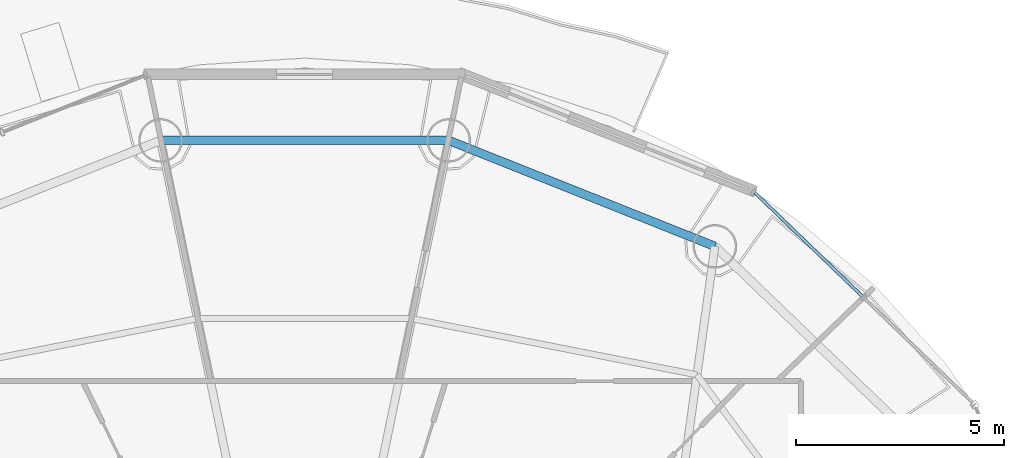
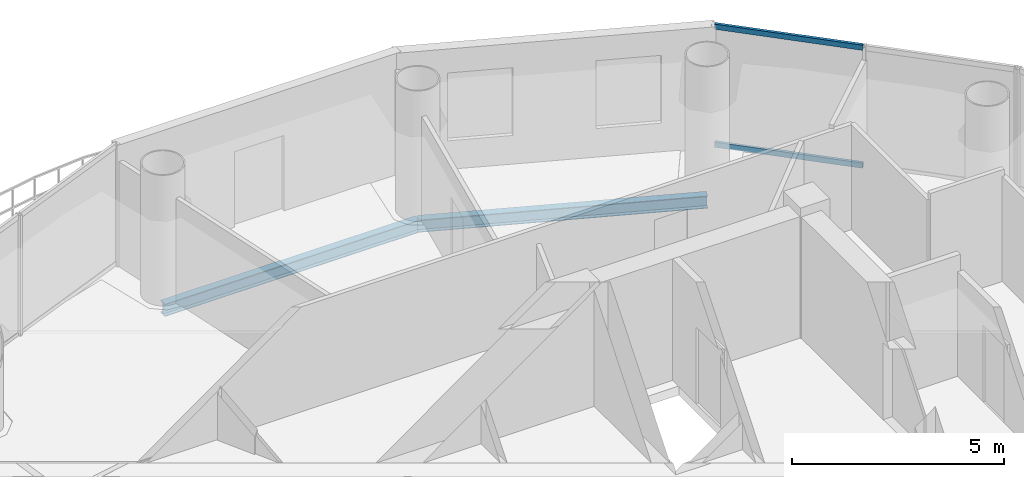
# One storey, part 15 of 24: 2 beams, 2 members, 1 element without a shape of its own.
"""IFC4 building model written with IfcOpenShell, lengths in metres."""

from ifc_helpers import new_model, si_unit, direction, frame, origin, origin_2d, place, context, subcontext, project, spatial, hollow_rectangle, i_section, extrude, source, transform, mapped, material, material_profile, profile_set, type_object, element, aggregate, save


model = new_model("IFC4")

# Units and contexts
model_context = context("Model", 3, precision=1e-05, world=origin(), true_north=direction((-0.2419218956, 0.970295726276)))
body_context = subcontext(model_context, "Body", "Model", "MODEL_VIEW")
ifc_project = project(units=[si_unit("LENGTHUNIT", "METRE"), si_unit("AREAUNIT", "SQUARE_METRE"), si_unit("VOLUMEUNIT", "CUBIC_METRE"), si_unit("PLANEANGLEUNIT", "RADIAN"), si_unit("MASSUNIT", "GRAM", prefix="KILO")], contexts=[model_context])

# Site, building, storey
site_placement = place(None, origin())
site = spatial("IfcSite", under=ifc_project, at=site_placement, CompositionType="ELEMENT")
building_placement = place(site_placement, origin())
building = spatial("IfcBuilding", under=site, at=building_placement, Name="Cobrevalo Terracotta Tower", CompositionType="ELEMENT")
storey_placement = place(building_placement, frame((0.0, 0.0, 278.199951171875)))
storey = spatial("IfcBuildingStorey", under=building, at=storey_placement, Name="L73", CompositionType="ELEMENT", Elevation=278.199951171875)

# Beams
ifc_material_1 = material(Name="Steel S355", Category="steel")
ifc_material_profile_1 = material_profile(ifc_material_1, i_section(OverallWidth=0.205078125, OverallDepth=0.35400390625, WebThickness=0.009521484375, FlangeThickness=0.016845703125, at=origin_2d()), Name="W 360x79")
ifc_profile_set_1 = profile_set([ifc_material_profile_1], Name="Steel S355")
beam_type = type_object("IfcBeamType", Name="Structural Spandrel W 360x79 (Steel S355)", PredefinedType="SPANDREL", material=ifc_profile_set_1)
beam_1_placement = place(storey_placement, frame((47.861328125, 40.9765625, -0.43701171875), z_axis=(-0.929149986048, 0.369702993533, 0.0), x_axis=(-0.369702993533, -0.929149986048, 0.0)))
element("IfcBeam", 1, at=beam_1_placement, inside=storey, type_object=beam_type, Name="L73 perimeter ring spandrel 03", PredefinedType="SPANDREL", context=body_context, shape_type="SweptSolid", body=[
    extrude(i_section(OverallWidth=0.205078125, OverallDepth=0.35400390625, WebThickness=0.009521484375, FlangeThickness=0.016845703125, at=origin_2d()), origin(), (0.0, 0.0, 1.0), 6.88623046875),
])
beam_2_placement = place(storey_placement, frame((41.462890625, 43.5224609375, -0.43701171875), z_axis=(-1.0, 0.0, 0.0), x_axis=(0.0, -1.0, 0.0)))
element("IfcBeam", 2, at=beam_2_placement, inside=storey, type_object=beam_type, Name="L73 perimeter ring spandrel 04", PredefinedType="SPANDREL", context=body_context, shape_type="SweptSolid", body=[
    extrude(i_section(OverallWidth=0.205078125, OverallDepth=0.35400390625, WebThickness=0.009521484375, FlangeThickness=0.016845703125, at=origin_2d()), origin(), (0.0, 0.0, 1.0), 6.92578125),
])

# Curtain wall, members
ifc_material_2 = material(Name="Anodized aluminium", Category="aluminium")
curtain_wall_type = type_object("IfcCurtainWallType", Name="Upper-tower triple-glazed penthouse curtain wall CW-U3", PredefinedType="NOTDEFINED", material=ifc_material_2)
curtain_wall_placement = place(storey_placement, origin())
curtain_wall = element("IfcCurtainWall", 3, at=curtain_wall_placement, inside=storey, type_object=curtain_wall_type, Name="L73 curtain wall CW-L73-S02", PredefinedType="NOTDEFINED")
ifc_material_profile_2 = material_profile(ifc_material_2, hollow_rectangle(XDim=0.074951171875, YDim=0.14990234375, WallThickness=0.00439453125, at=origin_2d()), Name="CWT 75x150")
ifc_profile_set_2 = profile_set([ifc_material_profile_2], Name="Anodized aluminium")
member_type = type_object("IfcMemberType", Name="Tower unitised aluminium transom 75x150", PredefinedType="USERDEFINED", material=ifc_profile_set_2)
shared_shape = source(origin(), body_context, "Body", "SweptSolid", [
    extrude(hollow_rectangle(XDim=0.074951171875, YDim=0.14990234375, WallThickness=0.00439453125, at=origin_2d()), origin(), (0.0, 0.0, 1.0), 3.59130859375),
])
member_1_placement = place(storey_placement, frame((51.40478515625, 39.77587890625, 0.050048828125), z_axis=(-0.720005628362, 0.693968223427, 0.0), x_axis=(-0.693968223427, -0.720005628362, 0.0)))
member_1 = element("IfcMember", 4, at=member_1_placement, type_object=member_type, Name="CW-L73-S02 transom B02-T1", ObjectType="TRANSOM", PredefinedType="USERDEFINED", context=body_context, shape_type="MappedRepresentation", body=[
    mapped(shared_shape, transform((0.0, 0.0, 0.0), scale=1.0)),
])
member_2_placement = place(storey_placement, frame((51.40478515625, 39.77587890625, 3.43994140625), z_axis=(-0.720005628362, 0.693968223427, 0.0), x_axis=(-0.693968223427, -0.720005628362, 0.0)))
member_2 = element("IfcMember", 5, at=member_2_placement, type_object=member_type, Name="CW-L73-S02 transom B02-T2", ObjectType="TRANSOM", PredefinedType="USERDEFINED", context=body_context, shape_type="MappedRepresentation", body=[
    mapped(shared_shape, transform((0.0, 0.0, 0.0), scale=1.0)),
])
aggregate(curtain_wall, [member_1, member_2])

save(model, "model.ifc")
